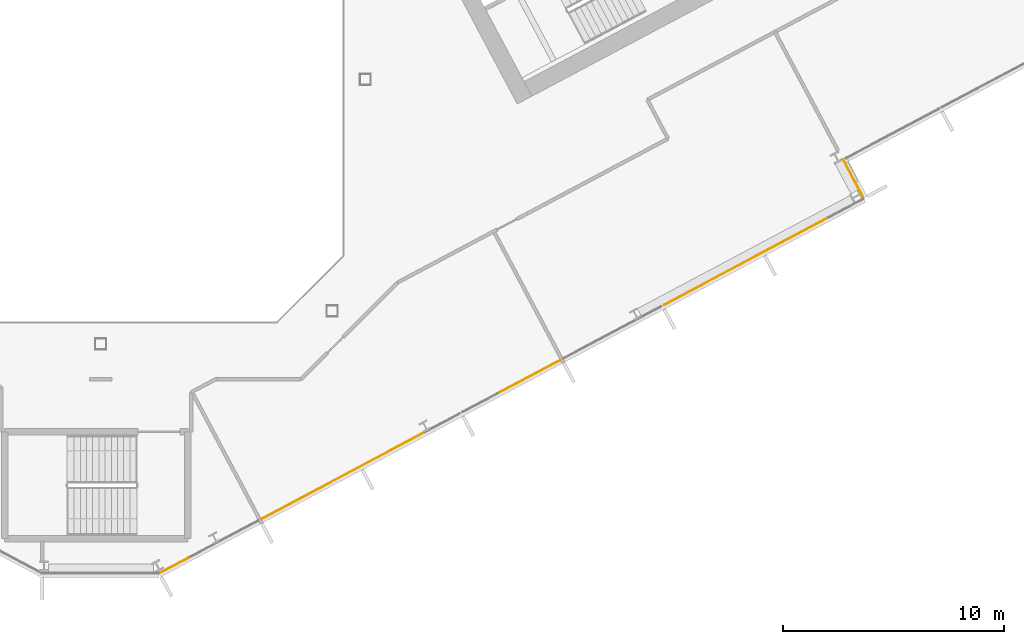
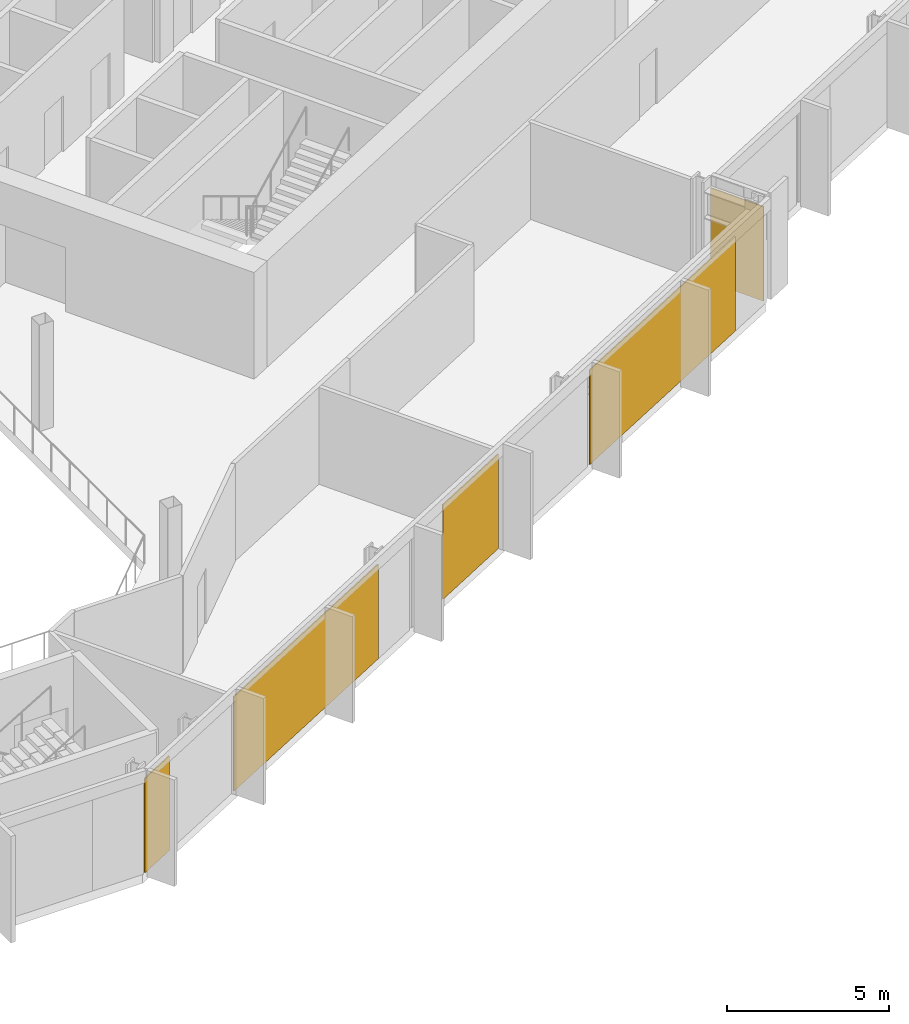
# One storey, part 24 of 28: 5 coverings, 2 elements without a shape of their own.
"""IFC4 building model written with IfcOpenShell, lengths in metres."""

from ifc_helpers import new_model, si_unit, direction, frame, origin, origin_2d, place, context, subcontext, project, spatial, rectangle, extrude, material, layer, layer_set, type_object, element, aggregate, save


model = new_model("IFC4")

# Units and contexts
model_context = context("Model", 3, precision=1e-05, world=origin(), true_north=direction((0.0, 1.0)))
body_context = subcontext(model_context, "Body", "Model", "MODEL_VIEW")
ifc_project = project(units=[si_unit("LENGTHUNIT", "METRE"), si_unit("AREAUNIT", "SQUARE_METRE"), si_unit("VOLUMEUNIT", "CUBIC_METRE"), si_unit("PLANEANGLEUNIT", "RADIAN"), si_unit("MASSUNIT", "GRAM", prefix="KILO")], contexts=[model_context])

# Site, building, storey
site_placement = place(None, origin())
site = spatial("IfcSite", under=ifc_project, at=site_placement, CompositionType="ELEMENT")
building_placement = place(site_placement, origin())
building = spatial("IfcBuilding", under=site, at=building_placement, Name="Cormorant Relay Tower", CompositionType="ELEMENT")
storey_placement = place(building_placement, frame((0.0, 0.0, 158.199951171875)))
storey = spatial("IfcBuildingStorey", under=building, at=storey_placement, Name="L33", CompositionType="ELEMENT", Elevation=158.199951171875)

# Curtain wall, coverings
ifc_material_1 = material(Name="Aluminium 6063-T6 anodised bronze", Category="aluminium")
ifc_layer_1 = layer(ifc_material_1, 0.199951171875)
ifc_layer_set_1 = layer_set([ifc_layer_1], Name="CW1 unitised bronze curtain wall with vertical fins")
curtain_wall_type = type_object("IfcCurtainWallType", Name="CW1 unitised bronze curtain wall with vertical fins", PredefinedType="NOTDEFINED", material=ifc_layer_set_1)
curtain_wall_1_placement = place(storey_placement, origin())
curtain_wall_1 = element("IfcCurtainWall", 1, at=curtain_wall_1_placement, inside=storey, type_object=curtain_wall_type, Name="CW1 curtain wall 2", PredefinedType="NOTDEFINED")
ifc_material_2 = material(Name="Pale bronze anodised aluminium insulated panel", Category="aluminium")
ifc_layer_2 = layer(ifc_material_2, 0.0400390625)
ifc_layer_set_2 = layer_set([ifc_layer_2], Name="CW1 pale bronze insulated panel 40")
covering_type = type_object("IfcCoveringType", Name="CW1 pale bronze insulated panel 40", PredefinedType="CLADDING", material=ifc_layer_set_2)
covering_1_placement = place(storey_placement, frame((3.349853515625, -22.025390625, 0.0), z_axis=(0.0, 0.0, 1.0), x_axis=(0.882947592859, 0.469471562786, 0.0)))
covering_1 = element("IfcCovering", 2, at=covering_1_placement, type_object=covering_type, Name="CW1 panel S00", PredefinedType="CLADDING", context=body_context, shape_type="SweptSolid", body=[
    extrude(rectangle(XDim=1.41650390625, YDim=0.0400390625, at=origin_2d()), origin(), (0.0, 0.0, 1.0), 3.550048828125),
])
covering_2_placement = place(storey_placement, frame((10.9873046875, -17.964599609375, 0.0), z_axis=(0.0, 0.0, 1.0), x_axis=(0.882947592859, 0.469471562786, 0.0)))
covering_2 = element("IfcCovering", 3, at=covering_2_placement, type_object=covering_type, Name="CW1 panel S02", PredefinedType="CLADDING", context=body_context, shape_type="SweptSolid", body=[
    extrude(rectangle(XDim=8.383056640625, YDim=0.0400390625, at=origin_2d()), origin(), (0.0, 0.0, 1.0), 3.550048828125),
])
covering_3_placement = place(storey_placement, frame((19.419189453125, -13.481201171875, 0.0), z_axis=(0.0, 0.0, 1.0), x_axis=(0.882947592859, 0.469471562786, 0.0)))
covering_3 = element("IfcCovering", 4, at=covering_3_placement, type_object=covering_type, Name="CW1 panel S05", PredefinedType="CLADDING", context=body_context, shape_type="SweptSolid", body=[
    extrude(rectangle(XDim=3.216552734375, YDim=0.0400390625, at=origin_2d()), origin(), (0.0, 0.0, 1.0), 3.550048828125),
])
covering_4_placement = place(storey_placement, frame((29.267578125, -8.244873046875, 0.0), z_axis=(0.0, 0.0, 1.0), x_axis=(0.882947592859, 0.469471562786, 0.0)))
covering_4 = element("IfcCovering", 5, at=covering_4_placement, type_object=covering_type, Name="CW1 panel S07", PredefinedType="CLADDING", context=body_context, shape_type="SweptSolid", body=[
    extrude(rectangle(XDim=8.4580078125, YDim=0.0400390625, at=origin_2d()), origin(), (0.0, 0.0, 1.0), 3.550048828125),
])
aggregate(curtain_wall_1, [covering_1, covering_2, covering_3, covering_4])

# Curtain wall, covering
curtain_wall_2_placement = place(storey_placement, origin())
curtain_wall_2 = element("IfcCurtainWall", 6, at=curtain_wall_2_placement, inside=storey, type_object=curtain_wall_type, Name="CW1 curtain wall 3", PredefinedType="NOTDEFINED")
covering_5_placement = place(storey_placement, frame((34.112060546875, -4.47119140625, 0.0), z_axis=(0.0, 0.0, 1.0), x_axis=(-0.469471562786, 0.882947592859, 0.0)))
covering_5 = element("IfcCovering", 7, at=covering_5_placement, type_object=covering_type, Name="CW1 panel S00", PredefinedType="CLADDING", context=body_context, shape_type="SweptSolid", body=[
    extrude(rectangle(XDim=1.925048828125, YDim=0.0400390625, at=origin_2d()), origin(), (0.0, 0.0, 1.0), 3.550048828125),
])
aggregate(curtain_wall_2, [covering_5])

save(model, "model.ifc")
